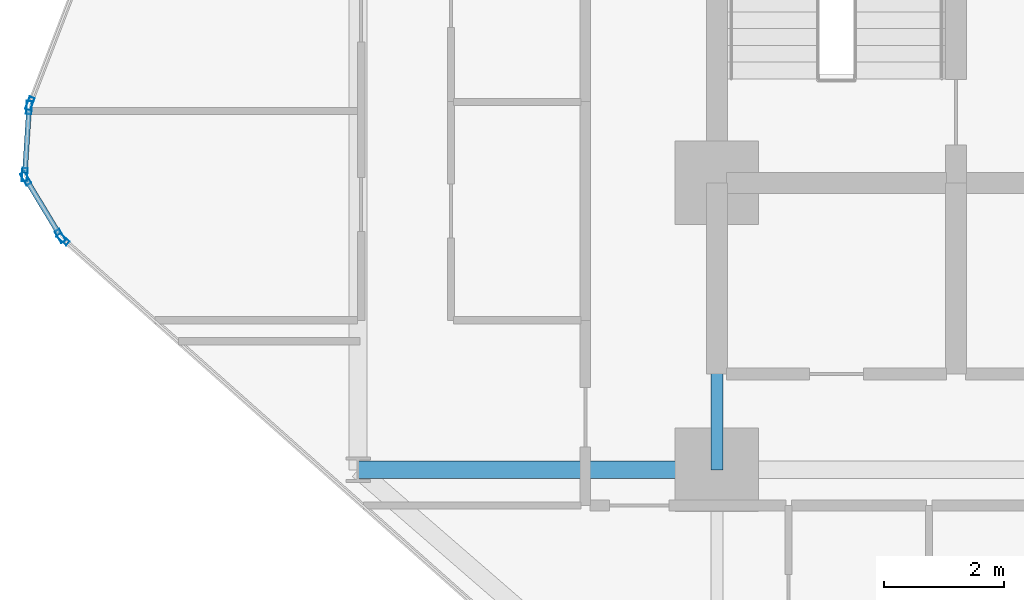
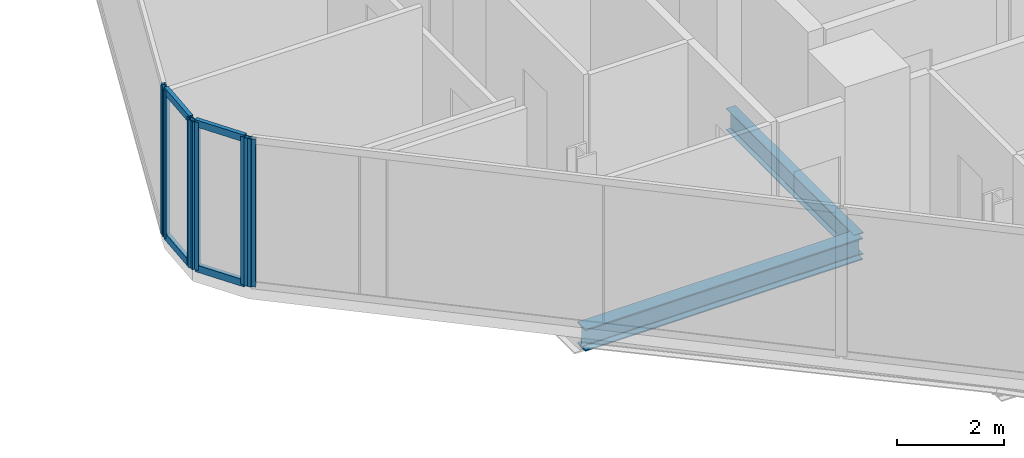
# One storey, part 5 of 33: 10 members, 2 beams, 4 elements without a shape of their own.
"""IFC4 building model written with IfcOpenShell, lengths in metres."""

from ifc_helpers import new_model, si_unit, direction, frame, origin, origin_2d, place, context, subcontext, project, spatial, hollow_rectangle, i_section, extrude, material, layer, layer_set, material_profile, profile_set, type_object, element, aggregate, save


model = new_model("IFC4")

# Units and contexts
model_context = context("Model", 3, precision=1e-05, world=origin(), true_north=direction((0.0, 1.0)))
body_context = subcontext(model_context, "Body", "Model", "MODEL_VIEW")
ifc_project = project(units=[si_unit("LENGTHUNIT", "METRE"), si_unit("AREAUNIT", "SQUARE_METRE"), si_unit("VOLUMEUNIT", "CUBIC_METRE"), si_unit("PLANEANGLEUNIT", "RADIAN"), si_unit("MASSUNIT", "GRAM", prefix="KILO")], contexts=[model_context])

# Site, building, storey
site_placement = place(None, origin())
site = spatial("IfcSite", under=ifc_project, at=site_placement, CompositionType="ELEMENT")
building_placement = place(site_placement, origin())
building = spatial("IfcBuilding", under=site, at=building_placement, Name="Keshet Zoharim Tower", CompositionType="ELEMENT")
storey_placement = place(building_placement, frame((0.0, 0.0, 49.89990234375)))
storey = spatial("IfcBuildingStorey", under=building, at=storey_placement, Name="L11", CompositionType="ELEMENT", Elevation=49.89990234375)

# Beams
ifc_material_1 = material(Name="Steel S355", Category="steel")
ifc_material_profile_1 = material_profile(ifc_material_1, i_section(OverallWidth=0.199951171875, OverallDepth=0.5, WebThickness=0.01025390625, FlangeThickness=0.01611328125, FilletRadius=0.02099609375, at=origin_2d()), Name="IPE500")
ifc_profile_set_1 = profile_set([ifc_material_profile_1], Name="Steel S355")
beam_type_1 = type_object("IfcBeamType", Name="BM-PRI-IP500", PredefinedType="BEAM", material=ifc_profile_set_1)
beam_1_placement = place(storey_placement, frame((15.0, 17.89990234375, -0.56494140625), z_axis=(0.0, 1.0, 0.0), x_axis=(-1.0, 0.0, 0.0)))
element("IfcBeam", 1, at=beam_1_placement, inside=storey, type_object=beam_type_1, Name="L11 Primary Girder Y-003", PredefinedType="BEAM", context=body_context, shape_type="SweptSolid", body=[
    extrude(i_section(OverallWidth=0.199951171875, OverallDepth=0.5, WebThickness=0.01025390625, FlangeThickness=0.01611328125, FilletRadius=0.02099609375, at=origin_2d()), origin(), (0.0, 0.0, 1.0), 4.800048828125),
])
ifc_material_profile_2 = material_profile(ifc_material_1, i_section(OverallWidth=0.300048828125, OverallDepth=0.5, WebThickness=0.014404296875, FlangeThickness=0.028076171875, FilletRadius=0.027099609375, at=origin_2d()), Name="HEB500")
ifc_profile_set_2 = profile_set([ifc_material_profile_2], Name="Steel S355")
beam_type_2 = type_object("IfcBeamType", Name="BM-WEB-HB500", PredefinedType="BEAM", material=ifc_profile_set_2)
beam_2_placement = place(storey_placement, frame((9.0, 17.89990234375, -0.56494140625), z_axis=(1.0, 0.0, 0.0), x_axis=(0.0, 1.0, 0.0)))
element("IfcBeam", 2, at=beam_2_placement, inside=storey, type_object=beam_type_2, Name="L11 Primary Girder X-015", PredefinedType="BEAM", context=body_context, shape_type="SweptSolid", body=[
    extrude(i_section(OverallWidth=0.300048828125, OverallDepth=0.5, WebThickness=0.014404296875, FlangeThickness=0.028076171875, FilletRadius=0.027099609375, at=origin_2d()), origin(), (0.0, 0.0, 1.0), 6.0),
])

# Curtain wall, member
ifc_material_2 = material(Name="Aluminium 6063-T6", Category="aluminium")
ifc_layer = layer(ifc_material_2, 0.179931640625)
ifc_layer_set = layer_set([ifc_layer], Name="Aluminium 6063-T6")
curtain_wall_type = type_object("IfcCurtainWallType", Name="CW-SYS-01", PredefinedType="NOTDEFINED", material=ifc_layer_set)
curtain_wall_1_placement = place(storey_placement, origin())
curtain_wall_1 = element("IfcCurtainWall", 3, at=curtain_wall_1_placement, inside=storey, type_object=curtain_wall_type, Name="L11 Unitised Curtain Wall 01", PredefinedType="NOTDEFINED")
ifc_material_profile_3 = material_profile(ifc_material_2, hollow_rectangle(XDim=0.090087890625, YDim=0.219970703125, WallThickness=0.0048828125, at=origin_2d()), Name="MUL-90x220")
ifc_profile_set_3 = profile_set([ifc_material_profile_3], Name="Aluminium 6063-T6")
member_type_1 = type_object("IfcMemberType", Name="CWM-M22", PredefinedType="MULLION", material=ifc_profile_set_3)
member_1_placement = place(storey_placement, frame((4.061279296875, 21.7568359375, 0.0), z_axis=(0.0, 0.0, 1.0), x_axis=(-0.664363838836, -0.747409318679, 0.0)))
member_1 = element("IfcMember", 4, at=member_1_placement, type_object=member_type_1, Name="CW-01 mullion 3", PredefinedType="MULLION", context=body_context, shape_type="SweptSolid", body=[
    extrude(hollow_rectangle(XDim=0.090087890625, YDim=0.219970703125, WallThickness=0.0048828125, at=origin_2d()), origin(), (0.0, 0.0, 1.0), 3.385009765625),
])
aggregate(curtain_wall_1, [member_1])

# Curtain wall, members
curtain_wall_2_placement = place(storey_placement, origin())
curtain_wall_2 = element("IfcCurtainWall", 5, at=curtain_wall_2_placement, inside=storey, type_object=curtain_wall_type, Name="L11 Unitised Curtain Wall 02", PredefinedType="NOTDEFINED")
member_2_placement = place(storey_placement, frame((4.016845703125, 21.81005859375, 0.0), z_axis=(0.0, 0.0, 1.0), x_axis=(-0.856826433805, -0.515604947933, 0.0)))
member_2 = element("IfcMember", 6, at=member_2_placement, type_object=member_type_1, Name="CW-01 mullion 1", PredefinedType="MULLION", context=body_context, shape_type="SweptSolid", body=[
    extrude(hollow_rectangle(XDim=0.090087890625, YDim=0.219970703125, WallThickness=0.0048828125, at=origin_2d()), origin(), (0.0, 0.0, 1.0), 3.385009765625),
])
member_3_placement = place(storey_placement, frame((3.43798828125, 22.77197265625, 0.0), z_axis=(0.0, 0.0, 1.0), x_axis=(-0.856826433805, -0.515604947933, 0.0)))
member_3 = element("IfcMember", 7, at=member_3_placement, type_object=member_type_1, Name="CW-01 mullion 2", PredefinedType="MULLION", context=body_context, shape_type="SweptSolid", body=[
    extrude(hollow_rectangle(XDim=0.090087890625, YDim=0.219970703125, WallThickness=0.0048828125, at=origin_2d()), origin(), (0.0, 0.0, 1.0), 3.385009765625),
])

curtain_wall_3_placement = place(storey_placement, origin())
curtain_wall_3 = element("IfcCurtainWall", 8, at=curtain_wall_3_placement, inside=storey, type_object=curtain_wall_type, Name="L11 Unitised Curtain Wall 03", PredefinedType="NOTDEFINED")
member_4_placement = place(storey_placement, frame((3.42236328125, 22.8369140625, 0.0), z_axis=(0.0, 0.0, 1.0), x_axis=(-0.997916617186, 0.064516859374, 0.0)))
member_4 = element("IfcMember", 9, at=member_4_placement, type_object=member_type_1, Name="CW-01 mullion 1", PredefinedType="MULLION", context=body_context, shape_type="SweptSolid", body=[
    extrude(hollow_rectangle(XDim=0.090087890625, YDim=0.219970703125, WallThickness=0.0048828125, at=origin_2d()), origin(), (0.0, 0.0, 1.0), 3.385009765625),
])
member_5_placement = place(storey_placement, frame((3.49462890625, 23.9580078125, 0.0), z_axis=(0.0, 0.0, 1.0), x_axis=(-0.997916617186, 0.064516859374, 0.0)))
member_5 = element("IfcMember", 10, at=member_5_placement, type_object=member_type_1, Name="CW-01 mullion 2", PredefinedType="MULLION", context=body_context, shape_type="SweptSolid", body=[
    extrude(hollow_rectangle(XDim=0.090087890625, YDim=0.219970703125, WallThickness=0.0048828125, at=origin_2d()), origin(), (0.0, 0.0, 1.0), 3.385009765625),
])

# Curtain wall, member
curtain_wall_4_placement = place(storey_placement, origin())
curtain_wall_4 = element("IfcCurtainWall", 11, at=curtain_wall_4_placement, inside=storey, type_object=curtain_wall_type, Name="L11 Unitised Curtain Wall 04", PredefinedType="NOTDEFINED")
member_6_placement = place(storey_placement, frame((3.509521484375, 24.025634765625, 0.0), z_axis=(0.0, 0.0, 1.0), x_axis=(-0.933341404361, 0.358990003907, 0.0)))
member_6 = element("IfcMember", 12, at=member_6_placement, type_object=member_type_1, Name="CW-01 mullion 1", PredefinedType="MULLION", context=body_context, shape_type="SweptSolid", body=[
    extrude(hollow_rectangle(XDim=0.090087890625, YDim=0.219970703125, WallThickness=0.0048828125, at=origin_2d()), origin(), (0.0, 0.0, 1.0), 3.385009765625),
])
aggregate(curtain_wall_4, [member_6])

# Member
ifc_material_profile_4 = material_profile(ifc_material_2, hollow_rectangle(XDim=0.0849609375, YDim=0.159912109375, WallThickness=0.00439453125, at=origin_2d()), Name="TRN-85x160")
ifc_profile_set_4 = profile_set([ifc_material_profile_4], Name="Aluminium 6063-T6")
member_type_2 = type_object("IfcMemberType", Name="CWT-T16", PredefinedType="USERDEFINED", material=ifc_profile_set_4)
member_7_placement = place(storey_placement, frame((3.9990234375, 21.840087890625, 0.03515625), z_axis=(-0.515791194107, 0.856714330499, 0.0), x_axis=(-0.856714330499, -0.515791194107, 0.0)))
member_7 = element("IfcMember", 13, at=member_7_placement, type_object=member_type_2, Name="CW-01 transom 1.1", ObjectType="TRANSOM", PredefinedType="USERDEFINED", context=body_context, shape_type="SweptSolid", body=[
    extrude(hollow_rectangle(XDim=0.0849609375, YDim=0.159912109375, WallThickness=0.00439453125, at=origin_2d()), origin(), (0.0, 0.0, 1.0), 1.052734375),
])

member_8_placement = place(storey_placement, frame((3.9990234375, 21.840087890625, 3.35009765625), z_axis=(-0.515791194107, 0.856714330499, 0.0), x_axis=(-0.856714330499, -0.515791194107, 0.0)))
member_8 = element("IfcMember", 14, at=member_8_placement, type_object=member_type_2, Name="CW-01 transom 1.2", ObjectType="TRANSOM", PredefinedType="USERDEFINED", context=body_context, shape_type="SweptSolid", body=[
    extrude(hollow_rectangle(XDim=0.0849609375, YDim=0.159912109375, WallThickness=0.00439453125, at=origin_2d()), origin(), (0.0, 0.0, 1.0), 1.052734375),
])

aggregate(curtain_wall_2, [member_2, member_3, member_7, member_8])

member_9_placement = place(storey_placement, frame((3.424560546875, 22.871826171875, 0.03515625), z_axis=(0.064426947155, 0.997922426083, 0.0), x_axis=(-0.997922426083, 0.064426947155, 0.0)))
member_9 = element("IfcMember", 15, at=member_9_placement, type_object=member_type_2, Name="CW-01 transom 1.1", ObjectType="TRANSOM", PredefinedType="USERDEFINED", context=body_context, shape_type="SweptSolid", body=[
    extrude(hollow_rectangle(XDim=0.0849609375, YDim=0.159912109375, WallThickness=0.00439453125, at=origin_2d()), origin(), (0.0, 0.0, 1.0), 1.053466796875),
])

member_10_placement = place(storey_placement, frame((3.424560546875, 22.871826171875, 3.35009765625), z_axis=(0.064426947155, 0.997922426083, 0.0), x_axis=(-0.997922426083, 0.064426947155, 0.0)))
member_10 = element("IfcMember", 16, at=member_10_placement, type_object=member_type_2, Name="CW-01 transom 1.2", ObjectType="TRANSOM", PredefinedType="USERDEFINED", context=body_context, shape_type="SweptSolid", body=[
    extrude(hollow_rectangle(XDim=0.0849609375, YDim=0.159912109375, WallThickness=0.00439453125, at=origin_2d()), origin(), (0.0, 0.0, 1.0), 1.053466796875),
])

aggregate(curtain_wall_3, [member_4, member_5, member_9, member_10])

save(model, "model.ifc")
